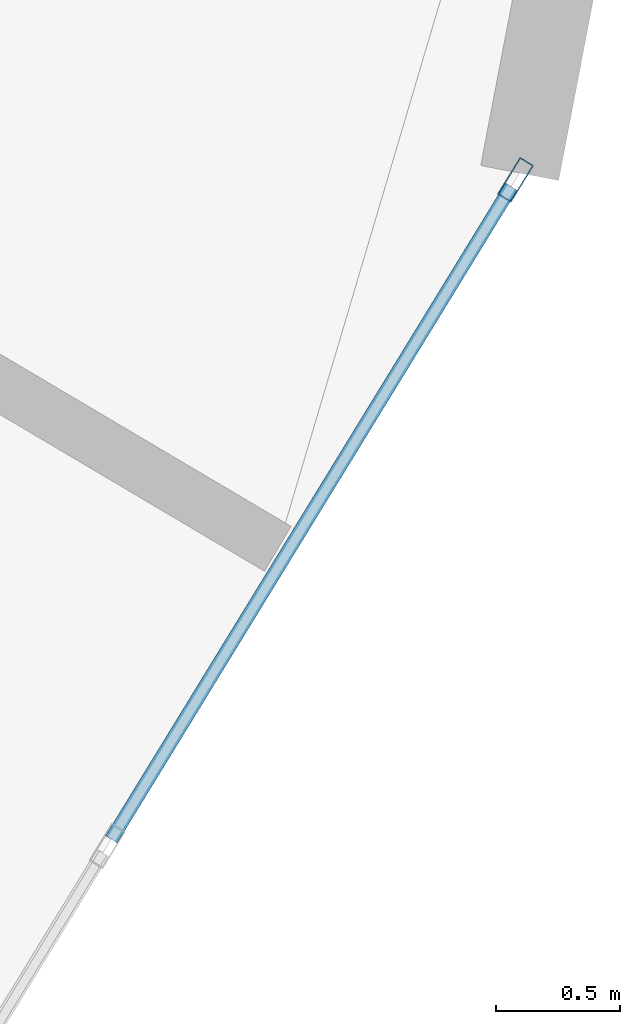
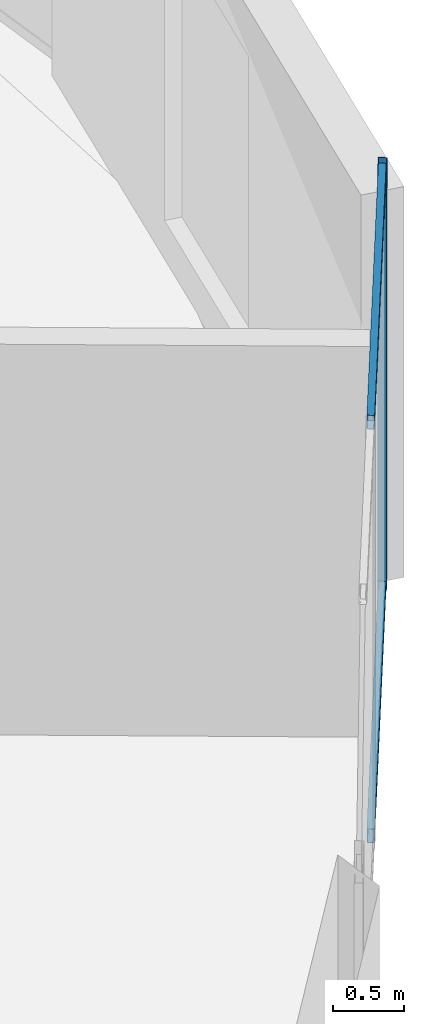
# One storey, part 8 of 23: 3 members, 1 element without a shape of its own.
"""IFC4 building model written with IfcOpenShell, lengths in metres."""

import ifcopenshell
import ifcopenshell.guid

model = None  # the IFC model being written
_history = None  # IfcOwnerHistory: only IFC2X3 demands one
_inside = {}  # id of a spatial element -> (the spatial element, [elements in it])
_under = {}  # id of a project, library or spatial element -> (it, [spatial elements below it])
_declared = {}  # id of a project -> (the project, [libraries it declares])
_typed = {}  # id of a type object -> (the type object, [elements of that type])
_made_of = {}  # id of a material, layer set ... -> (it, [elements and type objects made of it])


def new_model(schema):
    """Start an empty IFC model of exactly this schema.

    Asked for "IFC4X3", IfcOpenShell would pick the latest addendum, in which some entities
    have other attributes; the version numbers below select the first issue.
    IFC2X3 requires an IfcOwnerHistory on every rooted entity: one is made here for all.
    """
    global model, _history
    if schema == "IFC4X3":
        model = ifcopenshell.file(schema_version=(4, 3, 0, 0))
    else:
        model = ifcopenshell.file(schema=schema)
    _inside.clear()
    _under.clear()
    _declared.clear()
    _typed.clear()
    _made_of.clear()
    _history = None
    if model.schema == "IFC2X3":
        org = make("IfcOrganization", Name="unknown")
        user = make(
            "IfcPersonAndOrganization",
            ThePerson=make("IfcPerson", FamilyName="unknown"),
            TheOrganization=org,
        )
        app = make(
            "IfcApplication",
            ApplicationDeveloper=org,
            Version="unknown",
            ApplicationFullName="unknown",
            ApplicationIdentifier="unknown",
        )
        _history = make(
            "IfcOwnerHistory",
            OwningUser=user,
            OwningApplication=app,
            ChangeAction="ADDED",
            CreationDate=0,
        )
    return model


def make(cls, **values):
    """One entity of the class cls with the attributes given. An attribute that is None is left unset."""
    return model.create_entity(
        cls, **{name: value for name, value in values.items() if value is not None}
    )


def rooted(cls, **values):
    """An entity with a GlobalId (a new one), such as an element, a storey or a relation."""
    return make(cls, GlobalId=ifcopenshell.guid.new(), OwnerHistory=_history, **values)


def si_unit(unit_type, name, prefix=None):
    """IfcSIUnit, for example si_unit("LENGTHUNIT", "METRE", prefix="MILLI")."""
    return make("IfcSIUnit", UnitType=unit_type, Prefix=prefix, Name=name)


def assignment(units):
    """IfcUnitAssignment: the units of a project."""
    return None if units is None else make("IfcUnitAssignment", Units=units)


def point(xyz):
    """IfcCartesianPoint."""
    return None if xyz is None else make("IfcCartesianPoint", Coordinates=xyz)


def direction(xyz):
    """IfcDirection."""
    return None if xyz is None else make("IfcDirection", DirectionRatios=xyz)


def frame(location, z_axis=None, x_axis=None):
    """IfcAxis2Placement3D, a coordinate frame: its origin and axes. An axis left out is left unset."""
    return make(
        "IfcAxis2Placement3D",
        Location=point(location),
        Axis=direction(z_axis),
        RefDirection=direction(x_axis),
    )


def frame_2d(location, x_axis=None):
    """IfcAxis2Placement2D, a coordinate frame in the plane: its origin and x axis."""
    return make(
        "IfcAxis2Placement2D", Location=point(location), RefDirection=direction(x_axis)
    )


def origin():
    """The frame at (0, 0, 0) with its axes left unset."""
    return frame((0.0, 0.0, 0.0))


def origin_2d():
    """The frame at (0, 0) in the plane with its x axis left unset."""
    return frame_2d((0.0, 0.0))


def place(relative_to, where):
    """IfcLocalPlacement: puts the frame where relative to a parent placement (None: the world)."""
    return make(
        "IfcLocalPlacement", PlacementRelTo=relative_to, RelativePlacement=where
    )


def context(
    kind, dimensions, precision=None, world=None, true_north=None, identifier=None
):
    """IfcGeometricRepresentationContext, for example the 3D "Model" context."""
    return make(
        "IfcGeometricRepresentationContext",
        ContextIdentifier=identifier,
        ContextType=kind,
        CoordinateSpaceDimension=dimensions,
        Precision=precision,
        WorldCoordinateSystem=world,
        TrueNorth=true_north,
    )


def subcontext(parent, identifier, kind, view, scale=None):
    """IfcGeometricRepresentationSubContext, for example "Body" below "Model"."""
    return make(
        "IfcGeometricRepresentationSubContext",
        ContextIdentifier=identifier,
        ContextType=kind,
        ParentContext=parent,
        TargetScale=scale,
        TargetView=view,
    )


def project(units=None, contexts=None):
    """IfcProject with its units and contexts."""
    return rooted(
        "IfcProject",
        Name="project",
        RepresentationContexts=contexts,
        UnitsInContext=assignment(units),
    )


def spatial(cls, under=None, at=None, **own):
    """A site, building, storey or space (cls), placed at a placement, below another one or the project."""
    s = rooted(cls, ObjectPlacement=at, **own)
    if under is not None:
        _under.setdefault(under.id(), (under, []))[1].append(s)
    return s


def profile(cls, at=None, kind="AREA", **sizes):
    """A parametric profile (cls). Its sizes go by their IFC names, for example OverallWidth=200.0."""
    return make(cls, ProfileType=kind, Position=at, **sizes)


def hollow_rectangle(**sizes):
    """IfcRectangleHollowProfileDef."""
    return profile("IfcRectangleHollowProfileDef", **sizes)


def extrude(swept, where, along, depth):
    """IfcExtrudedAreaSolid: the profile swept, set in the frame where, extruded along a direction by depth."""
    return make(
        "IfcExtrudedAreaSolid",
        SweptArea=swept,
        Position=where,
        ExtrudedDirection=direction(along),
        Depth=depth,
    )


def shape(context_of_items, identifier, shape_type, items):
    """IfcShapeRepresentation: the items that make up one representation, for example the "Body"."""
    return make(
        "IfcShapeRepresentation",
        ContextOfItems=context_of_items,
        RepresentationIdentifier=identifier,
        RepresentationType=shape_type,
        Items=items,
    )


def source(mapping_origin, context_of_items, identifier, shape_type, items):
    """IfcRepresentationMap: a shape defined once, which mapped items show again and again."""
    return make(
        "IfcRepresentationMap",
        MappingOrigin=mapping_origin,
        MappedRepresentation=shape(context_of_items, identifier, shape_type, items),
    )


def transform(
    local_origin,
    x_axis=None,
    y_axis=None,
    z_axis=None,
    scale=None,
    scale2=None,
    scale3=None,
    uniform=True,
):
    """IfcCartesianTransformationOperator3D, or its non-uniform kind. x_axis, y_axis, z_axis: its Axis1, 2, 3."""
    if uniform:
        return make(
            "IfcCartesianTransformationOperator3D",
            Axis1=direction(x_axis),
            Axis2=direction(y_axis),
            LocalOrigin=point(local_origin),
            Scale=scale,
            Axis3=direction(z_axis),
        )
    return make(
        "IfcCartesianTransformationOperator3DnonUniform",
        Axis1=direction(x_axis),
        Axis2=direction(y_axis),
        LocalOrigin=point(local_origin),
        Scale=scale,
        Axis3=direction(z_axis),
        Scale2=scale2,
        Scale3=scale3,
    )


def mapped(mapping_source, mapping_target):
    """IfcMappedItem: shows the shape of a source again, moved by a transform."""
    return make(
        "IfcMappedItem", MappingSource=mapping_source, MappingTarget=mapping_target
    )


def material(Name=None, Category=None):
    """IfcMaterial."""
    return make("IfcMaterial", Name=Name, Category=Category)


def layer(
    of_material, thickness, ventilated=None, Name=None, Category=None, Priority=None
):
    """IfcMaterialLayer: one layer of a wall or slab, of a material (None: an air gap)."""
    return make(
        "IfcMaterialLayer",
        Material=of_material,
        LayerThickness=thickness,
        IsVentilated=ventilated,
        Name=Name,
        Category=Category,
        Priority=Priority,
    )


def layer_set(layers, Name=None):
    """IfcMaterialLayerSet."""
    return make("IfcMaterialLayerSet", MaterialLayers=layers, LayerSetName=Name)


def material_profile(
    of_material, cross_section, Name=None, Category=None, Priority=None
):
    """IfcMaterialProfile: a cross section and its material."""
    return make(
        "IfcMaterialProfile",
        Name=Name,
        Material=of_material,
        Profile=cross_section,
        Priority=Priority,
        Category=Category,
    )


def profile_set(profiles, Name=None, composite=None):
    """IfcMaterialProfileSet."""
    return make(
        "IfcMaterialProfileSet",
        Name=Name,
        MaterialProfiles=profiles,
        CompositeProfile=composite,
    )


def made_of(thing, what):
    """Note that an element or type object is made of a material, layer set ...; save() writes the relation."""
    if what is not None:
        _made_of.setdefault(what.id(), (what, []))[1].append(thing)
    return thing


def type_object(cls, material=None, **own):
    """A type object (cls), such as IfcWallType, which elements share."""
    return made_of(rooted(cls, **own), material)


def element(
    cls,
    number,
    at=None,
    inside=None,
    cuts=None,
    type_object=None,
    material=None,
    context=None,
    identifier="Body",
    shape_type=None,
    held_by="IfcProductDefinitionShape",
    body=None,
    shapes=None,
    **own,
):
    """One element of the class cls, such as IfcWall. Its Tag is "e" and its number.

    at: its placement. inside: the storey or other place that contains it. cuts: it is an
    opening in that element (IfcRelVoidsElement). A single representation is given by context,
    identifier, shape_type and body (its items); several are given by shapes. held_by: the class
    of the entity that holds the representations. save() writes the other relations.
    """
    e = rooted(cls, Tag="e%d" % number, ObjectPlacement=at, **own)
    if body is not None:
        shapes = [shape(context, identifier, shape_type, body)]
    if shapes is not None:
        e.Representation = make(held_by, Representations=shapes)
    if inside is not None:
        _inside.setdefault(inside.id(), (inside, []))[1].append(e)
    if cuts is not None:
        rooted(
            "IfcRelVoidsElement", RelatingBuildingElement=cuts, RelatedOpeningElement=e
        )
    if type_object is not None:
        _typed.setdefault(type_object.id(), (type_object, []))[1].append(e)
    return made_of(e, material)


def aggregate(whole, parts):
    """IfcRelAggregates: a whole, such as a stair, and the parts it consists of."""
    return rooted("IfcRelAggregates", RelatingObject=whole, RelatedObjects=parts)


def save(model, path):
    """Write the relations noted so far, then the file.

    IfcRelAggregates (storeys below a building ...), IfcRelContainedInSpatialStructure (elements
    in a storey), IfcRelDefinesByType, IfcRelAssociatesMaterial and IfcRelDeclares: one each for
    every whole, place, type object, material and project.
    """
    for whole, parts in _under.values():
        aggregate(whole, parts)
    for where, things in _inside.values():
        rooted(
            "IfcRelContainedInSpatialStructure",
            RelatedElements=things,
            RelatingStructure=where,
        )
    for kind, things in _typed.values():
        rooted("IfcRelDefinesByType", RelatedObjects=things, RelatingType=kind)
    for what, things in _made_of.values():
        rooted("IfcRelAssociatesMaterial", RelatedObjects=things, RelatingMaterial=what)
    for by, libraries in _declared.values():
        rooted("IfcRelDeclares", RelatingContext=by, RelatedDefinitions=libraries)
    model.write(path)


model = new_model("IFC4")

# Units and contexts
model_context = context("Model", 3, precision=1e-05, world=origin(), true_north=direction((0.0, 1.0)))
body_context = subcontext(model_context, "Body", "Model", "MODEL_VIEW")
ifc_project = project(units=[si_unit("LENGTHUNIT", "METRE"), si_unit("AREAUNIT", "SQUARE_METRE"), si_unit("VOLUMEUNIT", "CUBIC_METRE"), si_unit("PLANEANGLEUNIT", "RADIAN"), si_unit("MASSUNIT", "GRAM", prefix="KILO")], contexts=[model_context])

# Site, building, storey
site_placement = place(None, origin())
site = spatial("IfcSite", under=ifc_project, at=site_placement, CompositionType="ELEMENT")
building_placement = place(site_placement, origin())
building = spatial("IfcBuilding", under=site, at=building_placement, Name="Solvirekh Grand Hotel", CompositionType="ELEMENT")
storey_placement = place(building_placement, frame((0.0, 0.0, 138.60009765625)))
storey = spatial("IfcBuildingStorey", under=building, at=storey_placement, Name="L35", CompositionType="ELEMENT", Elevation=138.60009765625)

# Curtain wall, members
ifc_material = material(Name="Anodized Bronze Aluminium 6063-T6", Category="aluminium")
ifc_layer = layer(ifc_material, 0.175048828125)
ifc_layer_set = layer_set([ifc_layer], Name="Anodized Bronze Aluminium 6063-T6")
curtain_wall_type = type_object("IfcCurtainWallType", Name="CW_Sys3_MidZoneFlushBronzeCW", PredefinedType="NOTDEFINED", material=ifc_layer_set)
curtain_wall_placement = place(storey_placement, origin())
curtain_wall = element("IfcCurtainWall", 1, at=curtain_wall_placement, inside=storey, type_object=curtain_wall_type, Name="L35 unitised bronze-glass curtain wall CW-L35-C01", PredefinedType="NOTDEFINED")
ifc_material_profile_1 = material_profile(ifc_material, hollow_rectangle(XDim=0.06494140625, YDim=0.175048828125, WallThickness=0.0048828125, at=origin_2d()), Name="ALU RHS 175X65X5")
ifc_profile_set_1 = profile_set([ifc_material_profile_1], Name="Anodized Bronze Aluminium 6063-T6")
member_type_1 = type_object("IfcMemberType", Name="CWMullion_Sys3", PredefinedType="MULLION", material=ifc_profile_set_1)
shared_shape_1 = source(origin(), body_context, "Body", "SweptSolid", [
    extrude(hollow_rectangle(XDim=0.06494140625, YDim=0.175048828125, WallThickness=0.0048828125, at=origin_2d()), origin(), (0.0, 0.0, 1.0), 3.599853515625),
])
member_1_placement = place(storey_placement, frame((22.4140625, -10.898681640625, 0.0), z_axis=(0.0, 0.0, 1.0), x_axis=(-0.852648632908, 0.522484745041, 0.0)))
member_1 = element("IfcMember", 2, at=member_1_placement, type_object=member_type_1, Name="U03 mullion 3", PredefinedType="MULLION", context=body_context, shape_type="MappedRepresentation", body=[
    mapped(shared_shape_1, transform((0.0, 0.0, 0.0), x_axis=(1.0, 0.0, 0.0), y_axis=(0.0, 1.0, 0.0), z_axis=(0.0, 0.0, 1.0), scale=1.0)),
])
ifc_material_profile_2 = material_profile(ifc_material, hollow_rectangle(XDim=0.054931640625, YDim=0.1201171875, WallThickness=0.00390625, at=origin_2d()), Name="ALU RHS 120X55X4")
ifc_profile_set_2 = profile_set([ifc_material_profile_2], Name="Anodized Bronze Aluminium 6063-T6")
member_type_2 = type_object("IfcMemberType", Name="CWTransom_Sys3", PredefinedType="USERDEFINED", material=ifc_profile_set_2)
shared_shape_2 = source(origin(), body_context, "Body", "SweptSolid", [
    extrude(hollow_rectangle(XDim=0.054931640625, YDim=0.1201171875, WallThickness=0.00390625, at=origin_2d()), origin(), (0.0, 0.0, 1.0), 3.087158203125),
])
member_2_placement = place(storey_placement, frame((20.783935546875, -13.558837890625, 0.02734375), z_axis=(0.522486025943, 0.852647847997, 0.0), x_axis=(-0.852647847997, 0.522486025943, 0.0)))
member_2 = element("IfcMember", 3, at=member_2_placement, type_object=member_type_2, Name="U03 transom 2.1", ObjectType="TRANSOM", PredefinedType="USERDEFINED", context=body_context, shape_type="MappedRepresentation", body=[
    mapped(shared_shape_2, transform((0.0, 0.0, 0.0), x_axis=(1.0, 0.0, 0.0), y_axis=(0.0, 1.0, 0.0), z_axis=(0.0, 0.0, 1.0), scale=1.0)),
])
member_3_placement = place(storey_placement, frame((20.783935546875, -13.558837890625, 3.572509765625), z_axis=(0.522486025943, 0.852647847997, 0.0), x_axis=(-0.852647847997, 0.522486025943, 0.0)))
member_3 = element("IfcMember", 4, at=member_3_placement, type_object=member_type_2, Name="U03 transom 2.2", ObjectType="TRANSOM", PredefinedType="USERDEFINED", context=body_context, shape_type="MappedRepresentation", body=[
    mapped(shared_shape_2, transform((0.0, 0.0, 0.0), x_axis=(1.0, 0.0, 0.0), y_axis=(0.0, 1.0, 0.0), z_axis=(0.0, 0.0, 1.0), scale=1.0)),
])
aggregate(curtain_wall, [member_1, member_2, member_3])

save(model, "model.ifc")
